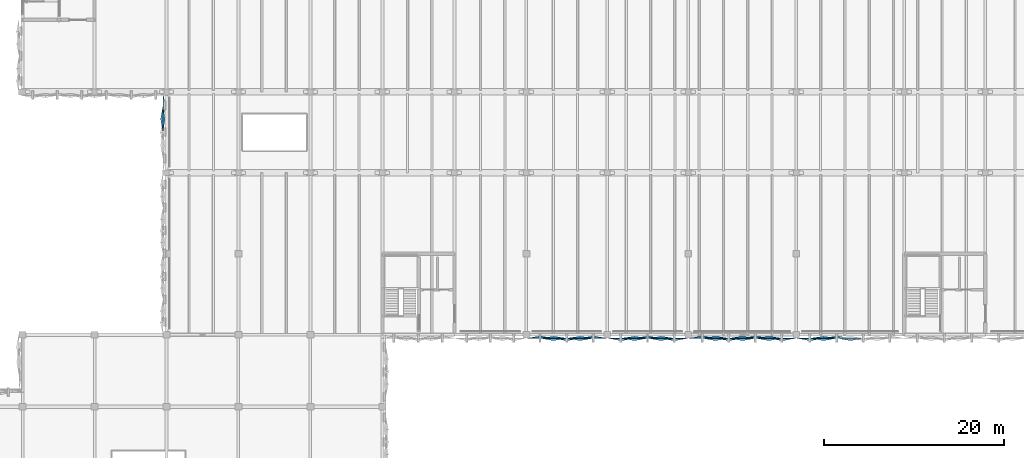
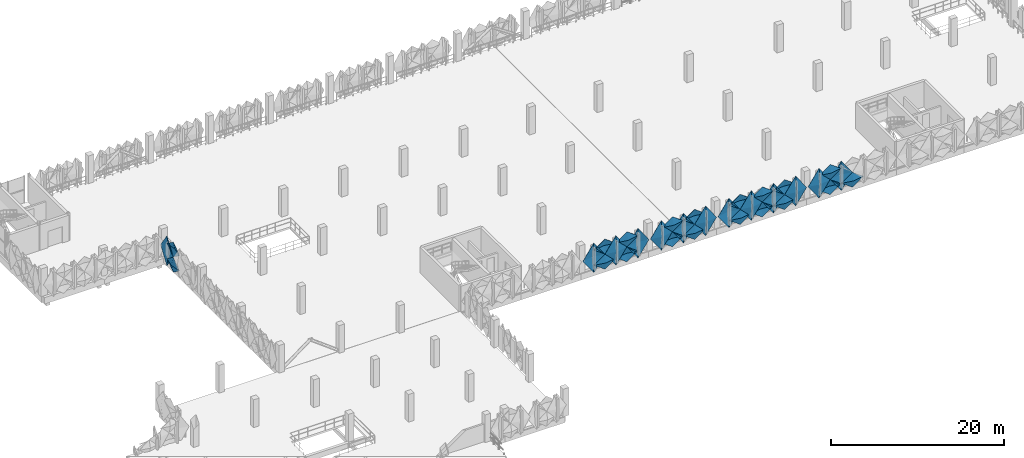
# One storey, part 56 of 83: 32 plates.
"""IFC4 building model written with IfcOpenShell, lengths in metres."""

from ifc_helpers import new_model, si_unit, derived_unit, direction, frame, origin, place, context, subcontext, project, spatial, polygons, material, layer, layer_set, type_object, element, save


model = new_model("IFC4")

# Units and contexts
model_context = context("Model", 3, precision=1e-05, world=origin(), true_north=direction((0.0, 1.0)))
body_context = subcontext(model_context, "Body", "Model", "MODEL_VIEW")
ifc_project = project(units=[si_unit("LENGTHUNIT", "METRE"), si_unit("AREAUNIT", "SQUARE_METRE"), si_unit("VOLUMEUNIT", "CUBIC_METRE"), si_unit("PLANEANGLEUNIT", "RADIAN"), si_unit("MASSUNIT", "GRAM", prefix="KILO"), si_unit("THERMODYNAMICTEMPERATUREUNIT", "KELVIN"), derived_unit("THERMALTRANSMITTANCEUNIT", [(si_unit("POWERUNIT", "WATT"), 1), (si_unit("AREAUNIT", "SQUARE_METRE"), -1), (si_unit("THERMODYNAMICTEMPERATUREUNIT", "KELVIN"), -1)])], contexts=[model_context])

# Site, building, storey
site_placement = place(None, origin())
site = spatial("IfcSite", under=ifc_project, at=site_placement, CompositionType="ELEMENT")
building_placement = place(site_placement, origin())
building = spatial("IfcBuilding", under=site, at=building_placement, Name="Haiyu Intermodal Mobility Hub", CompositionType="ELEMENT")
storey_placement = place(building_placement, frame((0.0, 0.0, 13.39990234375)))
storey = spatial("IfcBuildingStorey", under=building, at=storey_placement, Name="L03", CompositionType="ELEMENT", Elevation=13.39990234375)

# Plates
ifc_material = material(Name="Anodised aluminium 6063-T6", Category="aluminium")
ifc_layer_1 = layer(ifc_material, 0.01806640625)
ifc_layer_set_1 = layer_set([ifc_layer_1], Name="Anodised aluminium 6063-T6")
plate_type_1 = type_object("IfcPlateType", Name="PLT-FC01", PredefinedType="USERDEFINED", material=ifc_layer_set_1)
plate_1_placement = place(storey_placement, origin())
element("IfcPlate", 1, at=plate_1_placement, inside=storey, type_object=plate_type_1, Name="PLT-PYR-0799", ObjectType="FACADE CASSETTE", PredefinedType="USERDEFINED", context=body_context, shape_type="Tessellation", body=[
    polygons([(82.5, 103.60009765625, -0.510009765625), (83.952880859375, 103.60009765625, 1.60009765625), (82.5, 103.60009765625, 3.710205078125), (81.047119140625, 103.60009765625, 1.60009765625), (82.5, 103.320068359375, 1.60009765625), (82.5, 103.6220703125, -0.510009765625), (83.952880859375, 103.6220703125, 1.60009765625), (82.5, 103.6220703125, 3.710205078125), (81.047119140625, 103.6220703125, 1.60009765625), (82.5, 103.342041015625, 1.60009765625)], [[[1, 2, 5]], [[2, 3, 5]], [[3, 4, 5]], [[4, 1, 5]], [[7, 6, 10]], [[8, 7, 10]], [[9, 8, 10]], [[6, 9, 10]], [[1, 6, 7, 2]], [[2, 7, 8, 3]], [[3, 8, 9, 4]], [[4, 9, 6, 1]]], closed=True),
])
plate_2_placement = place(storey_placement, origin())
element("IfcPlate", 2, at=plate_2_placement, inside=storey, type_object=plate_type_1, Name="PLT-PYR-0801", ObjectType="FACADE CASSETTE", PredefinedType="USERDEFINED", context=body_context, shape_type="Tessellation", body=[
    polygons([(83.972900390625, 103.60009765625, 1.6201171875), (85.427001953125, 103.60009765625, 2.670166015625), (83.972900390625, 103.60009765625, 3.72021484375), (82.52001953125, 103.60009765625, 2.670166015625), (83.972900390625, 103.340087890625, 2.670166015625), (83.972900390625, 103.6220703125, 1.6201171875), (85.427001953125, 103.6220703125, 2.670166015625), (83.972900390625, 103.6220703125, 3.72021484375), (82.52001953125, 103.6220703125, 2.670166015625), (83.972900390625, 103.362060546875, 2.670166015625)], [[[1, 2, 5]], [[2, 3, 5]], [[3, 4, 5]], [[4, 1, 5]], [[7, 6, 10]], [[8, 7, 10]], [[9, 8, 10]], [[6, 9, 10]], [[1, 6, 7, 2]], [[2, 7, 8, 3]], [[3, 8, 9, 4]], [[4, 9, 6, 1]]], closed=True),
])
plate_3_placement = place(storey_placement, origin())
element("IfcPlate", 3, at=plate_3_placement, inside=storey, type_object=plate_type_1, Name="PLT-PYR-0826", ObjectType="FACADE CASSETTE", PredefinedType="USERDEFINED", context=body_context, shape_type="Tessellation", body=[
    polygons([(90.027099609375, 103.60009765625, 1.6201171875), (91.47998046875, 103.60009765625, 2.670166015625), (90.027099609375, 103.60009765625, 3.72021484375), (88.572998046875, 103.60009765625, 2.670166015625), (90.027099609375, 103.340087890625, 2.670166015625), (90.027099609375, 103.6220703125, 1.6201171875), (91.47998046875, 103.6220703125, 2.670166015625), (90.027099609375, 103.6220703125, 3.72021484375), (88.572998046875, 103.6220703125, 2.670166015625), (90.027099609375, 103.362060546875, 2.670166015625)], [[[1, 2, 5]], [[2, 3, 5]], [[3, 4, 5]], [[4, 1, 5]], [[7, 6, 10]], [[8, 7, 10]], [[9, 8, 10]], [[6, 9, 10]], [[1, 6, 7, 2]], [[2, 7, 8, 3]], [[3, 8, 9, 4]], [[4, 9, 6, 1]]], closed=True),
])
plate_4_placement = place(storey_placement, origin())
element("IfcPlate", 4, at=plate_4_placement, inside=storey, type_object=plate_type_1, Name="PLT-PYR-0868", ObjectType="FACADE CASSETTE", PredefinedType="USERDEFINED", context=body_context, shape_type="Tessellation", body=[
    polygons([(100.52001953125, 103.60009765625, -0.510009765625), (101.97998046875, 103.60009765625, 1.60009765625), (100.52001953125, 103.60009765625, 3.710205078125), (99.06005859375, 103.60009765625, 1.60009765625), (100.52001953125, 103.320068359375, 1.60009765625), (100.52001953125, 103.6220703125, -0.510009765625), (101.97998046875, 103.6220703125, 1.60009765625), (100.52001953125, 103.6220703125, 3.710205078125), (99.06005859375, 103.6220703125, 1.60009765625), (100.52001953125, 103.342041015625, 1.60009765625)], [[[1, 2, 5]], [[2, 3, 5]], [[3, 4, 5]], [[4, 1, 5]], [[7, 6, 10]], [[8, 7, 10]], [[9, 8, 10]], [[6, 9, 10]], [[1, 6, 7, 2]], [[2, 7, 8, 3]], [[3, 8, 9, 4]], [[4, 9, 6, 1]]], closed=True),
])
plate_5_placement = place(storey_placement, origin())
element("IfcPlate", 5, at=plate_5_placement, inside=storey, type_object=plate_type_1, Name="PLT-PYR-0870", ObjectType="FACADE CASSETTE", PredefinedType="USERDEFINED", context=body_context, shape_type="Tessellation", body=[
    polygons([(102.0, 103.60009765625, 1.6201171875), (103.4599609375, 103.60009765625, 2.670166015625), (102.0, 103.60009765625, 3.72021484375), (100.5400390625, 103.60009765625, 2.670166015625), (102.0, 103.340087890625, 2.670166015625), (102.0, 103.6220703125, 1.6201171875), (103.4599609375, 103.6220703125, 2.670166015625), (102.0, 103.6220703125, 3.72021484375), (100.5400390625, 103.6220703125, 2.670166015625), (102.0, 103.362060546875, 2.670166015625)], [[[1, 2, 5]], [[2, 3, 5]], [[3, 4, 5]], [[4, 1, 5]], [[7, 6, 10]], [[8, 7, 10]], [[9, 8, 10]], [[6, 9, 10]], [[1, 6, 7, 2]], [[2, 7, 8, 3]], [[3, 8, 9, 4]], [[4, 9, 6, 1]]], closed=True),
])
plate_6_placement = place(storey_placement, origin())
element("IfcPlate", 6, at=plate_6_placement, inside=storey, type_object=plate_type_1, Name="PLT-PYR-0917", ObjectType="FACADE CASSETTE", PredefinedType="USERDEFINED", context=body_context, shape_type="Tessellation", body=[
    polygons([(111.0400390625, 103.60009765625, 1.6201171875), (112.5, 103.60009765625, 2.670166015625), (111.0400390625, 103.60009765625, 3.72021484375), (109.580078125, 103.60009765625, 2.670166015625), (111.0400390625, 103.340087890625, 2.670166015625), (111.0400390625, 103.6220703125, 1.6201171875), (112.5, 103.6220703125, 2.670166015625), (111.0400390625, 103.6220703125, 3.72021484375), (109.580078125, 103.6220703125, 2.670166015625), (111.0400390625, 103.362060546875, 2.670166015625)], [[[1, 2, 5]], [[2, 3, 5]], [[3, 4, 5]], [[4, 1, 5]], [[7, 6, 10]], [[8, 7, 10]], [[9, 8, 10]], [[6, 9, 10]], [[1, 6, 7, 2]], [[2, 7, 8, 3]], [[3, 8, 9, 4]], [[4, 9, 6, 1]]], closed=True),
])
ifc_layer_2 = layer(ifc_material, 0.02001953125)
ifc_layer_set_2 = layer_set([ifc_layer_2], Name="Anodised aluminium 6063-T6")
plate_type_2 = type_object("IfcPlateType", Name="PLT-FC02", PredefinedType="USERDEFINED", material=ifc_layer_set_2)
plate_7_placement = place(storey_placement, origin())
element("IfcPlate", 7, at=plate_7_placement, inside=storey, type_object=plate_type_2, Name="PLT-PYR-0632", ObjectType="FACADE CASSETTE", PredefinedType="USERDEFINED", context=body_context, shape_type="Tessellation", body=[
    polygons([(37.60009765625, 127.972900390625, 1.6201171875), (37.60009765625, 126.52001953125, 2.670166015625), (37.60009765625, 127.972900390625, 3.72021484375), (37.60009765625, 129.427001953125, 2.670166015625), (37.820068359375, 127.972900390625, 2.670166015625), (37.6220703125, 127.972900390625, 1.6201171875), (37.6220703125, 126.52001953125, 2.670166015625), (37.6220703125, 127.972900390625, 3.72021484375), (37.6220703125, 129.427001953125, 2.670166015625), (37.842041015625, 127.972900390625, 2.670166015625)], [[[1, 2, 5]], [[2, 3, 5]], [[3, 4, 5]], [[4, 1, 5]], [[7, 6, 10]], [[8, 7, 10]], [[9, 8, 10]], [[6, 9, 10]], [[1, 6, 7, 2]], [[2, 7, 8, 3]], [[3, 8, 9, 4]], [[4, 9, 6, 1]]], closed=True),
])
plate_8_placement = place(storey_placement, origin())
element("IfcPlate", 8, at=plate_8_placement, inside=storey, type_object=plate_type_2, Name="PLT-PYR-0798", ObjectType="FACADE CASSETTE", PredefinedType="USERDEFINED", context=body_context, shape_type="Tessellation", body=[
    polygons([(81.027099609375, 103.60009765625, 1.6201171875), (82.47998046875, 103.60009765625, 2.670166015625), (81.027099609375, 103.60009765625, 3.72021484375), (79.572998046875, 103.60009765625, 2.670166015625), (81.027099609375, 103.820068359375, 2.670166015625), (81.027099609375, 103.6220703125, 1.6201171875), (82.47998046875, 103.6220703125, 2.670166015625), (81.027099609375, 103.6220703125, 3.72021484375), (79.572998046875, 103.6220703125, 2.670166015625), (81.027099609375, 103.842041015625, 2.670166015625)], [[[1, 2, 5]], [[2, 3, 5]], [[3, 4, 5]], [[4, 1, 5]], [[7, 6, 10]], [[8, 7, 10]], [[9, 8, 10]], [[6, 9, 10]], [[1, 6, 7, 2]], [[2, 7, 8, 3]], [[3, 8, 9, 4]], [[4, 9, 6, 1]]], closed=True),
])
plate_9_placement = place(storey_placement, origin())
element("IfcPlate", 9, at=plate_9_placement, inside=storey, type_object=plate_type_2, Name="PLT-PYR-0827", ObjectType="FACADE CASSETTE", PredefinedType="USERDEFINED", context=body_context, shape_type="Tessellation", body=[
    polygons([(91.5, 103.60009765625, -0.510009765625), (92.952880859375, 103.60009765625, 1.60009765625), (91.5, 103.60009765625, 3.710205078125), (90.047119140625, 103.60009765625, 1.60009765625), (91.5, 103.860107421875, 1.60009765625), (91.5, 103.6220703125, -0.510009765625), (92.952880859375, 103.6220703125, 1.60009765625), (91.5, 103.6220703125, 3.710205078125), (90.047119140625, 103.6220703125, 1.60009765625), (91.5, 103.882080078125, 1.60009765625)], [[[1, 2, 5]], [[2, 3, 5]], [[3, 4, 5]], [[4, 1, 5]], [[7, 6, 10]], [[8, 7, 10]], [[9, 8, 10]], [[6, 9, 10]], [[1, 6, 7, 2]], [[2, 7, 8, 3]], [[3, 8, 9, 4]], [[4, 9, 6, 1]]], closed=True),
])
plate_10_placement = place(storey_placement, origin())
element("IfcPlate", 10, at=plate_10_placement, inside=storey, type_object=plate_type_2, Name="PLT-PYR-0829", ObjectType="FACADE CASSETTE", PredefinedType="USERDEFINED", context=body_context, shape_type="Tessellation", body=[
    polygons([(92.972900390625, 103.60009765625, 1.6201171875), (94.427001953125, 103.60009765625, 2.670166015625), (92.972900390625, 103.60009765625, 3.72021484375), (91.52001953125, 103.60009765625, 2.670166015625), (92.972900390625, 103.820068359375, 2.670166015625), (92.972900390625, 103.6220703125, 1.6201171875), (94.427001953125, 103.6220703125, 2.670166015625), (92.972900390625, 103.6220703125, 3.72021484375), (91.52001953125, 103.6220703125, 2.670166015625), (92.972900390625, 103.842041015625, 2.670166015625)], [[[1, 2, 5]], [[2, 3, 5]], [[3, 4, 5]], [[4, 1, 5]], [[7, 6, 10]], [[8, 7, 10]], [[9, 8, 10]], [[6, 9, 10]], [[1, 6, 7, 2]], [[2, 7, 8, 3]], [[3, 8, 9, 4]], [[4, 9, 6, 1]]], closed=True),
])
plate_11_placement = place(storey_placement, origin())
element("IfcPlate", 11, at=plate_11_placement, inside=storey, type_object=plate_type_2, Name="PLT-PYR-0867", ObjectType="FACADE CASSETTE", PredefinedType="USERDEFINED", context=body_context, shape_type="Tessellation", body=[
    polygons([(99.0400390625, 103.60009765625, 1.6201171875), (100.5, 103.60009765625, 2.670166015625), (99.0400390625, 103.60009765625, 3.72021484375), (97.580078125, 103.60009765625, 2.670166015625), (99.0400390625, 103.820068359375, 2.670166015625), (99.0400390625, 103.6220703125, 1.6201171875), (100.5, 103.6220703125, 2.670166015625), (99.0400390625, 103.6220703125, 3.72021484375), (97.580078125, 103.6220703125, 2.670166015625), (99.0400390625, 103.842041015625, 2.670166015625)], [[[1, 2, 5]], [[2, 3, 5]], [[3, 4, 5]], [[4, 1, 5]], [[7, 6, 10]], [[8, 7, 10]], [[9, 8, 10]], [[6, 9, 10]], [[1, 6, 7, 2]], [[2, 7, 8, 3]], [[3, 8, 9, 4]], [[4, 9, 6, 1]]], closed=True),
])
plate_12_placement = place(storey_placement, origin())
element("IfcPlate", 12, at=plate_12_placement, inside=storey, type_object=plate_type_2, Name="PLT-PYR-0873", ObjectType="FACADE CASSETTE", PredefinedType="USERDEFINED", context=body_context, shape_type="Tessellation", body=[
    polygons([(104.9599609375, 103.60009765625, 1.6201171875), (106.419921875, 103.60009765625, 2.670166015625), (104.9599609375, 103.60009765625, 3.72021484375), (103.5, 103.60009765625, 2.670166015625), (104.9599609375, 103.820068359375, 2.670166015625), (104.9599609375, 103.6220703125, 1.6201171875), (106.419921875, 103.6220703125, 2.670166015625), (104.9599609375, 103.6220703125, 3.72021484375), (103.5, 103.6220703125, 2.670166015625), (104.9599609375, 103.842041015625, 2.670166015625)], [[[1, 2, 5]], [[2, 3, 5]], [[3, 4, 5]], [[4, 1, 5]], [[7, 6, 10]], [[8, 7, 10]], [[9, 8, 10]], [[6, 9, 10]], [[1, 6, 7, 2]], [[2, 7, 8, 3]], [[3, 8, 9, 4]], [[4, 9, 6, 1]]], closed=True),
])
plate_13_placement = place(storey_placement, origin())
element("IfcPlate", 13, at=plate_13_placement, inside=storey, type_object=plate_type_2, Name="PLT-PYR-0918", ObjectType="FACADE CASSETTE", PredefinedType="USERDEFINED", context=body_context, shape_type="Tessellation", body=[
    polygons([(112.52001953125, 103.60009765625, -0.510009765625), (113.97998046875, 103.60009765625, 1.60009765625), (112.52001953125, 103.60009765625, 3.710205078125), (111.06005859375, 103.60009765625, 1.60009765625), (112.52001953125, 103.860107421875, 1.60009765625), (112.52001953125, 103.6220703125, -0.510009765625), (113.97998046875, 103.6220703125, 1.60009765625), (112.52001953125, 103.6220703125, 3.710205078125), (111.06005859375, 103.6220703125, 1.60009765625), (112.52001953125, 103.882080078125, 1.60009765625)], [[[1, 2, 5]], [[2, 3, 5]], [[3, 4, 5]], [[4, 1, 5]], [[7, 6, 10]], [[8, 7, 10]], [[9, 8, 10]], [[6, 9, 10]], [[1, 6, 7, 2]], [[2, 7, 8, 3]], [[3, 8, 9, 4]], [[4, 9, 6, 1]]], closed=True),
])
ifc_layer_3 = layer(ifc_material, 0.01806640625)
ifc_layer_set_3 = layer_set([ifc_layer_3], Name="Anodised aluminium 6063-T6")
plate_type_3 = type_object("IfcPlateType", Name="PLT-FC03", PredefinedType="USERDEFINED", material=ifc_layer_set_3)
plate_14_placement = place(storey_placement, origin())
element("IfcPlate", 14, at=plate_14_placement, inside=storey, type_object=plate_type_3, Name="PLT-PYR-0830", ObjectType="FACADE CASSETTE", PredefinedType="USERDEFINED", context=body_context, shape_type="Tessellation", body=[
    polygons([(94.447021484375, 103.60009765625, -0.510009765625), (95.89990234375, 103.60009765625, 1.60009765625), (94.447021484375, 103.60009765625, 3.710205078125), (92.992919921875, 103.60009765625, 1.60009765625), (94.447021484375, 103.320068359375, 1.60009765625), (94.447021484375, 103.6220703125, -0.510009765625), (95.89990234375, 103.6220703125, 1.60009765625), (94.447021484375, 103.6220703125, 3.710205078125), (92.992919921875, 103.6220703125, 1.60009765625), (94.447021484375, 103.342041015625, 1.60009765625)], [[[1, 2, 5]], [[2, 3, 5]], [[3, 4, 5]], [[4, 1, 5]], [[7, 6, 10]], [[8, 7, 10]], [[9, 8, 10]], [[6, 9, 10]], [[1, 6, 7, 2]], [[2, 7, 8, 3]], [[3, 8, 9, 4]], [[4, 9, 6, 1]]], closed=True),
])
ifc_layer_4 = layer(ifc_material, 0.02001953125)
ifc_layer_set_4 = layer_set([ifc_layer_4], Name="Anodised aluminium 6063-T6")
plate_type_4 = type_object("IfcPlateType", Name="PLT-FC04", PredefinedType="USERDEFINED", material=ifc_layer_set_4)
plate_15_placement = place(storey_placement, origin())
element("IfcPlate", 15, at=plate_15_placement, inside=storey, type_object=plate_type_4, Name="PLT-PYR-0802", ObjectType="FACADE CASSETTE", PredefinedType="USERDEFINED", context=body_context, shape_type="Tessellation", body=[
    polygons([(85.447021484375, 103.60009765625, -0.510009765625), (86.89990234375, 103.60009765625, 1.60009765625), (85.447021484375, 103.60009765625, 3.710205078125), (83.992919921875, 103.60009765625, 1.60009765625), (85.447021484375, 103.860107421875, 1.60009765625), (85.447021484375, 103.6220703125, -0.510009765625), (86.89990234375, 103.6220703125, 1.60009765625), (85.447021484375, 103.6220703125, 3.710205078125), (83.992919921875, 103.6220703125, 1.60009765625), (85.447021484375, 103.882080078125, 1.60009765625)], [[[1, 2, 5]], [[2, 3, 5]], [[3, 4, 5]], [[4, 1, 5]], [[7, 6, 10]], [[8, 7, 10]], [[9, 8, 10]], [[6, 9, 10]], [[1, 6, 7, 2]], [[2, 7, 8, 3]], [[3, 8, 9, 4]], [[4, 9, 6, 1]]], closed=True),
])
plate_16_placement = place(storey_placement, origin())
element("IfcPlate", 16, at=plate_16_placement, inside=storey, type_object=plate_type_4, Name="PLT-PYR-0871", ObjectType="FACADE CASSETTE", PredefinedType="USERDEFINED", context=body_context, shape_type="Tessellation", body=[
    polygons([(103.47998046875, 103.60009765625, -0.510009765625), (104.93994140625, 103.60009765625, 1.60009765625), (103.47998046875, 103.60009765625, 3.710205078125), (102.02001953125, 103.60009765625, 1.60009765625), (103.47998046875, 103.860107421875, 1.60009765625), (103.47998046875, 103.6220703125, -0.510009765625), (104.93994140625, 103.6220703125, 1.60009765625), (103.47998046875, 103.6220703125, 3.710205078125), (102.02001953125, 103.6220703125, 1.60009765625), (103.47998046875, 103.882080078125, 1.60009765625)], [[[1, 2, 5]], [[2, 3, 5]], [[3, 4, 5]], [[4, 1, 5]], [[7, 6, 10]], [[8, 7, 10]], [[9, 8, 10]], [[6, 9, 10]], [[1, 6, 7, 2]], [[2, 7, 8, 3]], [[3, 8, 9, 4]], [[4, 9, 6, 1]]], closed=True),
])
ifc_layer_5 = layer(ifc_material, 0.01806640625)
ifc_layer_set_5 = layer_set([ifc_layer_5], Name="Anodised aluminium 6063-T6")
plate_type_5 = type_object("IfcPlateType", Name="PLT-FC05", PredefinedType="USERDEFINED", material=ifc_layer_set_5)
plate_17_placement = place(storey_placement, origin())
element("IfcPlate", 17, at=plate_17_placement, inside=storey, type_object=plate_type_5, Name="PLT-PYR-0874", ObjectType="FACADE CASSETTE", PredefinedType="USERDEFINED", context=body_context, shape_type="Tessellation", body=[
    polygons([(106.43994140625, 103.60009765625, -0.510009765625), (107.89990234375, 103.60009765625, 1.60009765625), (106.43994140625, 103.60009765625, 3.710205078125), (104.97998046875, 103.60009765625, 1.60009765625), (106.43994140625, 103.320068359375, 1.60009765625), (106.43994140625, 103.6220703125, -0.510009765625), (107.89990234375, 103.6220703125, 1.60009765625), (106.43994140625, 103.6220703125, 3.710205078125), (104.97998046875, 103.6220703125, 1.60009765625), (106.43994140625, 103.342041015625, 1.60009765625)], [[[1, 2, 5]], [[2, 3, 5]], [[3, 4, 5]], [[4, 1, 5]], [[7, 6, 10]], [[8, 7, 10]], [[9, 8, 10]], [[6, 9, 10]], [[1, 6, 7, 2]], [[2, 7, 8, 3]], [[3, 8, 9, 4]], [[4, 9, 6, 1]]], closed=True),
])
ifc_layer_6 = layer(ifc_material, 0.02197265625)
ifc_layer_set_6 = layer_set([ifc_layer_6], Name="Anodised aluminium 6063-T6")
plate_type_6 = type_object("IfcPlateType", Name="PLT-FC07", PredefinedType="USERDEFINED", material=ifc_layer_set_6)
plate_18_placement = place(storey_placement, origin())
element("IfcPlate", 18, at=plate_18_placement, inside=storey, type_object=plate_type_6, Name="PLT-PYR-0631", ObjectType="FACADE CASSETTE", PredefinedType="USERDEFINED", context=body_context, shape_type="Tessellation", body=[
    polygons([(37.60009765625, 127.972900390625, -0.52001953125), (37.60009765625, 126.52001953125, 0.530029296875), (37.60009765625, 127.972900390625, 1.580078125), (37.60009765625, 129.427001953125, 0.530029296875), (37.340087890625, 127.972900390625, 0.530029296875), (37.6220703125, 127.972900390625, -0.52001953125), (37.6220703125, 126.52001953125, 0.530029296875), (37.6220703125, 127.972900390625, 1.580078125), (37.6220703125, 129.427001953125, 0.530029296875), (37.362060546875, 127.972900390625, 0.530029296875)], [[[1, 2, 5]], [[2, 3, 5]], [[3, 4, 5]], [[4, 1, 5]], [[7, 6, 10]], [[8, 7, 10]], [[9, 8, 10]], [[6, 9, 10]], [[1, 6, 7, 2]], [[2, 7, 8, 3]], [[3, 8, 9, 4]], [[4, 9, 6, 1]]], closed=True),
])
plate_19_placement = place(storey_placement, origin())
element("IfcPlate", 19, at=plate_19_placement, inside=storey, type_object=plate_type_6, Name="PLT-PYR-0797", ObjectType="FACADE CASSETTE", PredefinedType="USERDEFINED", context=body_context, shape_type="Tessellation", body=[
    polygons([(81.027099609375, 103.60009765625, -0.52001953125), (82.47998046875, 103.60009765625, 0.530029296875), (81.027099609375, 103.60009765625, 1.580078125), (79.572998046875, 103.60009765625, 0.530029296875), (81.027099609375, 103.340087890625, 0.530029296875), (81.027099609375, 103.6220703125, -0.52001953125), (82.47998046875, 103.6220703125, 0.530029296875), (81.027099609375, 103.6220703125, 1.580078125), (79.572998046875, 103.6220703125, 0.530029296875), (81.027099609375, 103.362060546875, 0.530029296875)], [[[1, 2, 5]], [[2, 3, 5]], [[3, 4, 5]], [[4, 1, 5]], [[7, 6, 10]], [[8, 7, 10]], [[9, 8, 10]], [[6, 9, 10]], [[1, 6, 7, 2]], [[2, 7, 8, 3]], [[3, 8, 9, 4]], [[4, 9, 6, 1]]], closed=True),
])
plate_20_placement = place(storey_placement, origin())
element("IfcPlate", 20, at=plate_20_placement, inside=storey, type_object=plate_type_6, Name="PLT-PYR-0824", ObjectType="FACADE CASSETTE", PredefinedType="USERDEFINED", context=body_context, shape_type="Tessellation", body=[
    polygons([(88.552978515625, 103.60009765625, -0.510009765625), (90.007080078125, 103.60009765625, 1.60009765625), (88.552978515625, 103.60009765625, 3.710205078125), (87.10009765625, 103.60009765625, 1.60009765625), (88.552978515625, 103.320068359375, 1.60009765625), (88.552978515625, 103.6220703125, -0.510009765625), (90.007080078125, 103.6220703125, 1.60009765625), (88.552978515625, 103.6220703125, 3.710205078125), (87.10009765625, 103.6220703125, 1.60009765625), (88.552978515625, 103.342041015625, 1.60009765625)], [[[1, 2, 5]], [[2, 3, 5]], [[3, 4, 5]], [[4, 1, 5]], [[7, 6, 10]], [[8, 7, 10]], [[9, 8, 10]], [[6, 9, 10]], [[1, 6, 7, 2]], [[2, 7, 8, 3]], [[3, 8, 9, 4]], [[4, 9, 6, 1]]], closed=True),
])
plate_21_placement = place(storey_placement, origin())
element("IfcPlate", 21, at=plate_21_placement, inside=storey, type_object=plate_type_6, Name="PLT-PYR-0828", ObjectType="FACADE CASSETTE", PredefinedType="USERDEFINED", context=body_context, shape_type="Tessellation", body=[
    polygons([(92.972900390625, 103.60009765625, -0.52001953125), (94.427001953125, 103.60009765625, 0.530029296875), (92.972900390625, 103.60009765625, 1.580078125), (91.52001953125, 103.60009765625, 0.530029296875), (92.972900390625, 103.340087890625, 0.530029296875), (92.972900390625, 103.6220703125, -0.52001953125), (94.427001953125, 103.6220703125, 0.530029296875), (92.972900390625, 103.6220703125, 1.580078125), (91.52001953125, 103.6220703125, 0.530029296875), (92.972900390625, 103.362060546875, 0.530029296875)], [[[1, 2, 5]], [[2, 3, 5]], [[3, 4, 5]], [[4, 1, 5]], [[7, 6, 10]], [[8, 7, 10]], [[9, 8, 10]], [[6, 9, 10]], [[1, 6, 7, 2]], [[2, 7, 8, 3]], [[3, 8, 9, 4]], [[4, 9, 6, 1]]], closed=True),
])
plate_22_placement = place(storey_placement, origin())
element("IfcPlate", 22, at=plate_22_placement, inside=storey, type_object=plate_type_6, Name="PLT-PYR-0866", ObjectType="FACADE CASSETTE", PredefinedType="USERDEFINED", context=body_context, shape_type="Tessellation", body=[
    polygons([(99.0400390625, 103.60009765625, -0.52001953125), (100.5, 103.60009765625, 0.530029296875), (99.0400390625, 103.60009765625, 1.580078125), (97.580078125, 103.60009765625, 0.530029296875), (99.0400390625, 103.340087890625, 0.530029296875), (99.0400390625, 103.6220703125, -0.52001953125), (100.5, 103.6220703125, 0.530029296875), (99.0400390625, 103.6220703125, 1.580078125), (97.580078125, 103.6220703125, 0.530029296875), (99.0400390625, 103.362060546875, 0.530029296875)], [[[1, 2, 5]], [[2, 3, 5]], [[3, 4, 5]], [[4, 1, 5]], [[7, 6, 10]], [[8, 7, 10]], [[9, 8, 10]], [[6, 9, 10]], [[1, 6, 7, 2]], [[2, 7, 8, 3]], [[3, 8, 9, 4]], [[4, 9, 6, 1]]], closed=True),
])
plate_23_placement = place(storey_placement, origin())
element("IfcPlate", 23, at=plate_23_placement, inside=storey, type_object=plate_type_6, Name="PLT-PYR-0872", ObjectType="FACADE CASSETTE", PredefinedType="USERDEFINED", context=body_context, shape_type="Tessellation", body=[
    polygons([(104.9599609375, 103.60009765625, -0.52001953125), (106.419921875, 103.60009765625, 0.530029296875), (104.9599609375, 103.60009765625, 1.580078125), (103.5, 103.60009765625, 0.530029296875), (104.9599609375, 103.340087890625, 0.530029296875), (104.9599609375, 103.6220703125, -0.52001953125), (106.419921875, 103.6220703125, 0.530029296875), (104.9599609375, 103.6220703125, 1.580078125), (103.5, 103.6220703125, 0.530029296875), (104.9599609375, 103.362060546875, 0.530029296875)], [[[1, 2, 5]], [[2, 3, 5]], [[3, 4, 5]], [[4, 1, 5]], [[7, 6, 10]], [[8, 7, 10]], [[9, 8, 10]], [[6, 9, 10]], [[1, 6, 7, 2]], [[2, 7, 8, 3]], [[3, 8, 9, 4]], [[4, 9, 6, 1]]], closed=True),
])
plate_24_placement = place(storey_placement, origin())
element("IfcPlate", 24, at=plate_24_placement, inside=storey, type_object=plate_type_6, Name="PLT-PYR-0915", ObjectType="FACADE CASSETTE", PredefinedType="USERDEFINED", context=body_context, shape_type="Tessellation", body=[
    polygons([(109.56005859375, 103.60009765625, -0.510009765625), (111.02001953125, 103.60009765625, 1.60009765625), (109.56005859375, 103.60009765625, 3.710205078125), (108.10009765625, 103.60009765625, 1.60009765625), (109.56005859375, 103.320068359375, 1.60009765625), (109.56005859375, 103.6220703125, -0.510009765625), (111.02001953125, 103.6220703125, 1.60009765625), (109.56005859375, 103.6220703125, 3.710205078125), (108.10009765625, 103.6220703125, 1.60009765625), (109.56005859375, 103.342041015625, 1.60009765625)], [[[1, 2, 5]], [[2, 3, 5]], [[3, 4, 5]], [[4, 1, 5]], [[7, 6, 10]], [[8, 7, 10]], [[9, 8, 10]], [[6, 9, 10]], [[1, 6, 7, 2]], [[2, 7, 8, 3]], [[3, 8, 9, 4]], [[4, 9, 6, 1]]], closed=True),
])
plate_25_placement = place(storey_placement, origin())
element("IfcPlate", 25, at=plate_25_placement, inside=storey, type_object=plate_type_6, Name="PLT-PYR-0919", ObjectType="FACADE CASSETTE", PredefinedType="USERDEFINED", context=body_context, shape_type="Tessellation", body=[
    polygons([(114.0, 103.60009765625, -0.52001953125), (115.4599609375, 103.60009765625, 0.530029296875), (114.0, 103.60009765625, 1.580078125), (112.5400390625, 103.60009765625, 0.530029296875), (114.0, 103.340087890625, 0.530029296875), (114.0, 103.6220703125, -0.52001953125), (115.4599609375, 103.6220703125, 0.530029296875), (114.0, 103.6220703125, 1.580078125), (112.5400390625, 103.6220703125, 0.530029296875), (114.0, 103.362060546875, 0.530029296875)], [[[1, 2, 5]], [[2, 3, 5]], [[3, 4, 5]], [[4, 1, 5]], [[7, 6, 10]], [[8, 7, 10]], [[9, 8, 10]], [[6, 9, 10]], [[1, 6, 7, 2]], [[2, 7, 8, 3]], [[3, 8, 9, 4]], [[4, 9, 6, 1]]], closed=True),
])
ifc_layer_7 = layer(ifc_material, 0.02392578125)
ifc_layer_set_7 = layer_set([ifc_layer_7], Name="Anodised aluminium 6063-T6")
plate_type_7 = type_object("IfcPlateType", Name="PLT-FC08", PredefinedType="USERDEFINED", material=ifc_layer_set_7)
plate_26_placement = place(storey_placement, origin())
element("IfcPlate", 26, at=plate_26_placement, inside=storey, type_object=plate_type_7, Name="PLT-PYR-0630", ObjectType="FACADE CASSETTE", PredefinedType="USERDEFINED", context=body_context, shape_type="Tessellation", body=[
    polygons([(37.60009765625, 129.447021484375, -0.510009765625), (37.60009765625, 127.992919921875, 1.60009765625), (37.60009765625, 129.447021484375, 3.710205078125), (37.60009765625, 130.89990234375, 1.60009765625), (37.860107421875, 129.447021484375, 1.60009765625), (37.6220703125, 129.447021484375, -0.510009765625), (37.6220703125, 127.992919921875, 1.60009765625), (37.6220703125, 129.447021484375, 3.710205078125), (37.6220703125, 130.89990234375, 1.60009765625), (37.882080078125, 129.447021484375, 1.60009765625)], [[[1, 2, 5]], [[2, 3, 5]], [[3, 4, 5]], [[4, 1, 5]], [[7, 6, 10]], [[8, 7, 10]], [[9, 8, 10]], [[6, 9, 10]], [[1, 6, 7, 2]], [[2, 7, 8, 3]], [[3, 8, 9, 4]], [[4, 9, 6, 1]]], closed=True),
])
plate_27_placement = place(storey_placement, origin())
element("IfcPlate", 27, at=plate_27_placement, inside=storey, type_object=plate_type_7, Name="PLT-PYR-0796", ObjectType="FACADE CASSETTE", PredefinedType="USERDEFINED", context=body_context, shape_type="Tessellation", body=[
    polygons([(79.552978515625, 103.60009765625, -0.510009765625), (81.007080078125, 103.60009765625, 1.60009765625), (79.552978515625, 103.60009765625, 3.710205078125), (78.10009765625, 103.60009765625, 1.60009765625), (79.552978515625, 103.860107421875, 1.60009765625), (79.552978515625, 103.6220703125, -0.510009765625), (81.007080078125, 103.6220703125, 1.60009765625), (79.552978515625, 103.6220703125, 3.710205078125), (78.10009765625, 103.6220703125, 1.60009765625), (79.552978515625, 103.882080078125, 1.60009765625)], [[[1, 2, 5]], [[2, 3, 5]], [[3, 4, 5]], [[4, 1, 5]], [[7, 6, 10]], [[8, 7, 10]], [[9, 8, 10]], [[6, 9, 10]], [[1, 6, 7, 2]], [[2, 7, 8, 3]], [[3, 8, 9, 4]], [[4, 9, 6, 1]]], closed=True),
])
plate_28_placement = place(storey_placement, origin())
element("IfcPlate", 28, at=plate_28_placement, inside=storey, type_object=plate_type_7, Name="PLT-PYR-0800", ObjectType="FACADE CASSETTE", PredefinedType="USERDEFINED", context=body_context, shape_type="Tessellation", body=[
    polygons([(83.972900390625, 103.60009765625, -0.52001953125), (85.427001953125, 103.60009765625, 0.530029296875), (83.972900390625, 103.60009765625, 1.580078125), (82.52001953125, 103.60009765625, 0.530029296875), (83.972900390625, 103.820068359375, 0.530029296875), (83.972900390625, 103.6220703125, -0.52001953125), (85.427001953125, 103.6220703125, 0.530029296875), (83.972900390625, 103.6220703125, 1.580078125), (82.52001953125, 103.6220703125, 0.530029296875), (83.972900390625, 103.842041015625, 0.530029296875)], [[[1, 2, 5]], [[2, 3, 5]], [[3, 4, 5]], [[4, 1, 5]], [[7, 6, 10]], [[8, 7, 10]], [[9, 8, 10]], [[6, 9, 10]], [[1, 6, 7, 2]], [[2, 7, 8, 3]], [[3, 8, 9, 4]], [[4, 9, 6, 1]]], closed=True),
])
plate_29_placement = place(storey_placement, origin())
element("IfcPlate", 29, at=plate_29_placement, inside=storey, type_object=plate_type_7, Name="PLT-PYR-0825", ObjectType="FACADE CASSETTE", PredefinedType="USERDEFINED", context=body_context, shape_type="Tessellation", body=[
    polygons([(90.027099609375, 103.60009765625, -0.52001953125), (91.47998046875, 103.60009765625, 0.530029296875), (90.027099609375, 103.60009765625, 1.580078125), (88.572998046875, 103.60009765625, 0.530029296875), (90.027099609375, 103.820068359375, 0.530029296875), (90.027099609375, 103.6220703125, -0.52001953125), (91.47998046875, 103.6220703125, 0.530029296875), (90.027099609375, 103.6220703125, 1.580078125), (88.572998046875, 103.6220703125, 0.530029296875), (90.027099609375, 103.842041015625, 0.530029296875)], [[[1, 2, 5]], [[2, 3, 5]], [[3, 4, 5]], [[4, 1, 5]], [[7, 6, 10]], [[8, 7, 10]], [[9, 8, 10]], [[6, 9, 10]], [[1, 6, 7, 2]], [[2, 7, 8, 3]], [[3, 8, 9, 4]], [[4, 9, 6, 1]]], closed=True),
])
plate_30_placement = place(storey_placement, origin())
element("IfcPlate", 30, at=plate_30_placement, inside=storey, type_object=plate_type_7, Name="PLT-PYR-0865", ObjectType="FACADE CASSETTE", PredefinedType="USERDEFINED", context=body_context, shape_type="Tessellation", body=[
    polygons([(97.56005859375, 103.60009765625, -0.510009765625), (99.02001953125, 103.60009765625, 1.60009765625), (97.56005859375, 103.60009765625, 3.710205078125), (96.10009765625, 103.60009765625, 1.60009765625), (97.56005859375, 103.860107421875, 1.60009765625), (97.56005859375, 103.6220703125, -0.510009765625), (99.02001953125, 103.6220703125, 1.60009765625), (97.56005859375, 103.6220703125, 3.710205078125), (96.10009765625, 103.6220703125, 1.60009765625), (97.56005859375, 103.882080078125, 1.60009765625)], [[[1, 2, 5]], [[2, 3, 5]], [[3, 4, 5]], [[4, 1, 5]], [[7, 6, 10]], [[8, 7, 10]], [[9, 8, 10]], [[6, 9, 10]], [[1, 6, 7, 2]], [[2, 7, 8, 3]], [[3, 8, 9, 4]], [[4, 9, 6, 1]]], closed=True),
])
plate_31_placement = place(storey_placement, origin())
element("IfcPlate", 31, at=plate_31_placement, inside=storey, type_object=plate_type_7, Name="PLT-PYR-0869", ObjectType="FACADE CASSETTE", PredefinedType="USERDEFINED", context=body_context, shape_type="Tessellation", body=[
    polygons([(102.0, 103.60009765625, -0.52001953125), (103.4599609375, 103.60009765625, 0.530029296875), (102.0, 103.60009765625, 1.580078125), (100.5400390625, 103.60009765625, 0.530029296875), (102.0, 103.820068359375, 0.530029296875), (102.0, 103.6220703125, -0.52001953125), (103.4599609375, 103.6220703125, 0.530029296875), (102.0, 103.6220703125, 1.580078125), (100.5400390625, 103.6220703125, 0.530029296875), (102.0, 103.842041015625, 0.530029296875)], [[[1, 2, 5]], [[2, 3, 5]], [[3, 4, 5]], [[4, 1, 5]], [[7, 6, 10]], [[8, 7, 10]], [[9, 8, 10]], [[6, 9, 10]], [[1, 6, 7, 2]], [[2, 7, 8, 3]], [[3, 8, 9, 4]], [[4, 9, 6, 1]]], closed=True),
])
plate_32_placement = place(storey_placement, origin())
element("IfcPlate", 32, at=plate_32_placement, inside=storey, type_object=plate_type_7, Name="PLT-PYR-0916", ObjectType="FACADE CASSETTE", PredefinedType="USERDEFINED", context=body_context, shape_type="Tessellation", body=[
    polygons([(111.0400390625, 103.60009765625, -0.52001953125), (112.5, 103.60009765625, 0.530029296875), (111.0400390625, 103.60009765625, 1.580078125), (109.580078125, 103.60009765625, 0.530029296875), (111.0400390625, 103.820068359375, 0.530029296875), (111.0400390625, 103.6220703125, -0.52001953125), (112.5, 103.6220703125, 0.530029296875), (111.0400390625, 103.6220703125, 1.580078125), (109.580078125, 103.6220703125, 0.530029296875), (111.0400390625, 103.842041015625, 0.530029296875)], [[[1, 2, 5]], [[2, 3, 5]], [[3, 4, 5]], [[4, 1, 5]], [[7, 6, 10]], [[8, 7, 10]], [[9, 8, 10]], [[6, 9, 10]], [[1, 6, 7, 2]], [[2, 7, 8, 3]], [[3, 8, 9, 4]], [[4, 9, 6, 1]]], closed=True),
])

save(model, "model.ifc")
